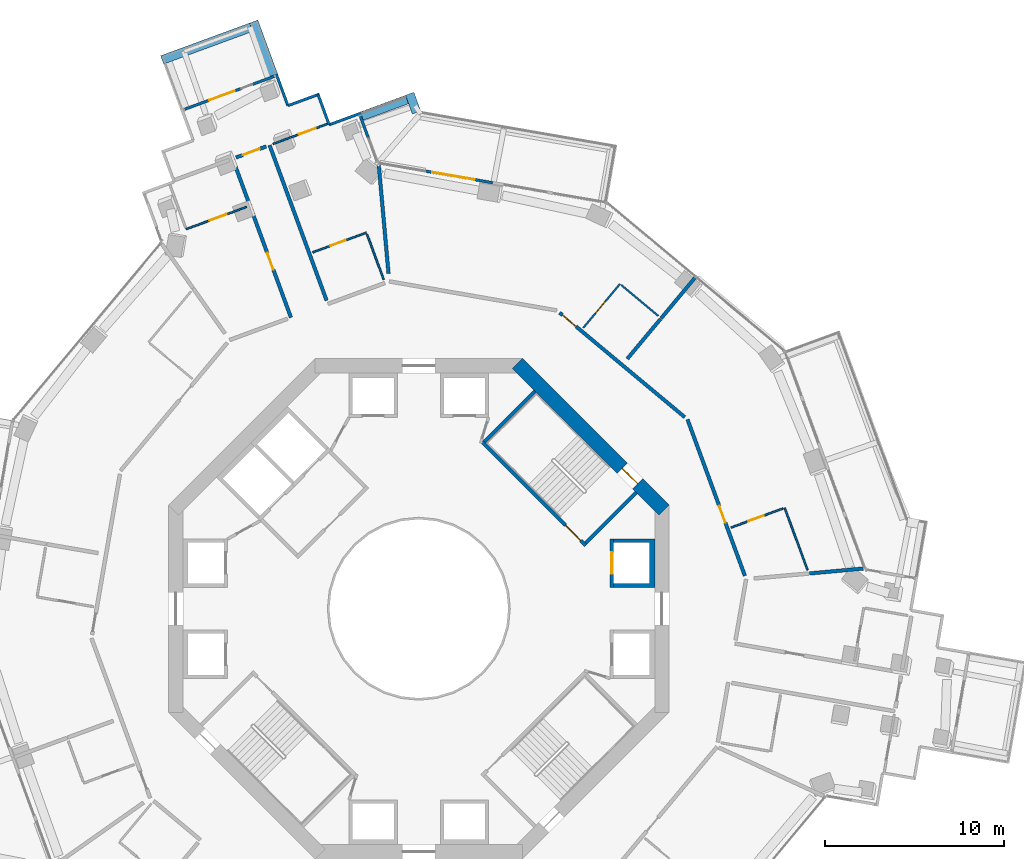
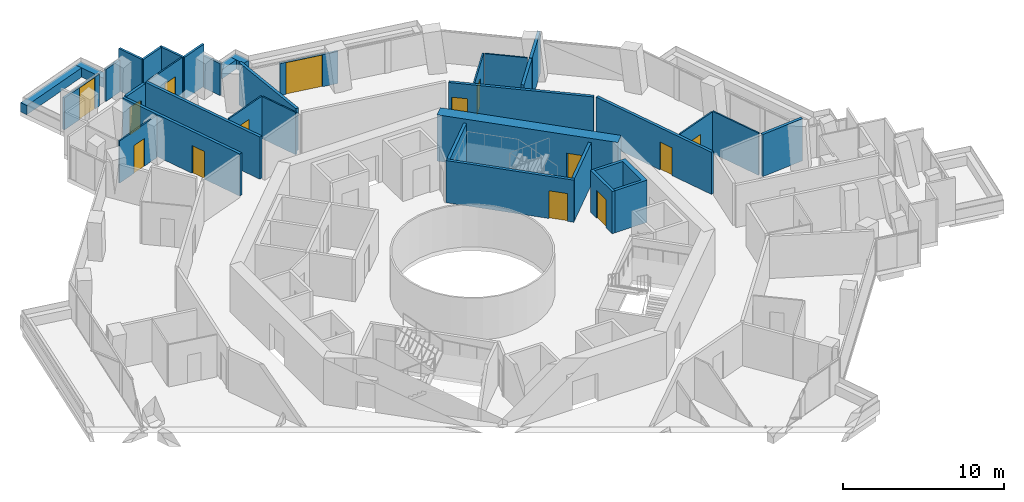
# One storey, part 20 of 24: 35 walls, 14 doors, 14 openings.
"""IFC4 building model written with IfcOpenShell, lengths in metres."""

from ifc_helpers import new_model, si_unit, direction, frame, frame_2d, origin, place, context, subcontext, project, spatial, polyline, rectangle, outline, extrude, material, layer, layer_set, type_object, element, fill, save


model = new_model("IFC4")

# Units and contexts
model_context = context("Model", 3, precision=1e-05, world=origin(), true_north=direction((0.0, 1.0)))
body_context = subcontext(model_context, "Body", "Model", "MODEL_VIEW")
ifc_project = project(units=[si_unit("LENGTHUNIT", "METRE"), si_unit("AREAUNIT", "SQUARE_METRE"), si_unit("VOLUMEUNIT", "CUBIC_METRE"), si_unit("PLANEANGLEUNIT", "RADIAN"), si_unit("MASSUNIT", "GRAM", prefix="KILO")], contexts=[model_context])

# Site, building, storey
site_placement = place(None, origin())
site = spatial("IfcSite", under=ifc_project, at=site_placement, CompositionType="ELEMENT")
building_placement = place(site_placement, origin())
building = spatial("IfcBuilding", under=site, at=building_placement, Name="Verdalira Terraces Hotel", CompositionType="ELEMENT")
storey_placement = place(building_placement, frame((0.0, 0.0, 115.0)))
storey = spatial("IfcBuildingStorey", under=building, at=storey_placement, Name="L27", CompositionType="ELEMENT", Elevation=115.0)

# Walls
ifc_material_1 = material(Name="Concrete C40", Category="concrete")
ifc_layer_1 = layer(ifc_material_1, 0.5)
ifc_layer_set_1 = layer_set([ifc_layer_1], Name="Balcony planter trough with tree")
wall_type_1 = type_object("IfcWallType", Name="Balcony planter trough with tree", PredefinedType="SOLIDWALL", material=ifc_layer_set_1)
wall_1_placement = place(storey_placement, frame((-8.133789, 29.84375, 0.0), z_axis=(0.0, 0.0, 1.0), x_axis=(-0.344633575, 0.93873729, 0.0)))
element("IfcWall", 1, at=wall_1_placement, inside=storey, type_object=wall_type_1, Name="Balcony planter", PredefinedType="SOLIDWALL", context=body_context, shape_type="SweptSolid", body=[
    extrude(rectangle(XDim=3.199219, YDim=0.5, at=frame_2d((1.599609, 0.0))), origin(), (0.0, 0.0, 1.0), 0.699951),
])
wall_2_placement = place(storey_placement, frame((-9.384766, 32.526123, 0.0), z_axis=(0.0, 0.0, 1.0), x_axis=(-0.938731816, -0.344648484, 0.0)))
element("IfcWall", 2, at=wall_2_placement, inside=storey, type_object=wall_type_1, Name="Balcony planter", PredefinedType="SOLIDWALL", context=body_context, shape_type="SweptSolid", body=[
    extrude(rectangle(XDim=5.300049, YDim=0.5, at=frame_2d((2.649902, 0.0))), origin(), (0.0, 0.0, 1.0), 0.699951),
])
wall_3_placement = place(storey_placement, frame((-0.126221, 27.763428, 0.0), z_axis=(0.0, 0.0, 1.0), x_axis=(-0.344544989, 0.938769807, 0.0)))
element("IfcWall", 3, at=wall_3_placement, inside=storey, type_object=wall_type_1, Name="Balcony planter", PredefinedType="SOLIDWALL", context=body_context, shape_type="SweptSolid", body=[
    extrude(rectangle(XDim=1.111816, YDim=0.5, at=frame_2d((0.555908, 0.0))), origin(), (0.0, 0.0, 1.0), 0.699951),
])
wall_4_placement = place(storey_placement, frame((-0.657959, 28.486084, 0.0), z_axis=(0.0, 0.0, 1.0), x_axis=(-0.938727111, -0.344661298, 0.0)))
element("IfcWall", 4, at=wall_4_placement, inside=storey, type_object=wall_type_1, Name="Balcony planter", PredefinedType="SOLIDWALL", context=body_context, shape_type="SweptSolid", body=[
    extrude(rectangle(XDim=2.69873, YDim=0.5, at=frame_2d((1.349365, 0.0))), origin(), (0.0, 0.0, 1.0), 0.699951),
])

# Wall, opening, door
ifc_material_2 = material(Name="Moisture-resistant gypsum board partition")
ifc_layer_2 = layer(ifc_material_2, 0.10009765625)
ifc_layer_set_2 = layer_set([ifc_layer_2], Name="Bathroom partition 100 mm")
wall_type_2 = type_object("IfcWallType", Name="Bathroom partition 100 mm", PredefinedType="PARTITIONING", material=ifc_layer_set_2)
wall_5_placement = place(storey_placement, frame((-13.015137, 21.23291, 0.0), z_axis=(0.0, 0.0, 1.0), x_axis=(0.938731564, 0.34464917, 0.0)))
wall_5 = element("IfcWall", 5, at=wall_5_placement, inside=storey, type_object=wall_type_2, Name="Bathroom partition", PredefinedType="PARTITIONING", context=body_context, shape_type="SweptSolid", body=[
    extrude(rectangle(XDim=3.599854, YDim=0.100098, at=frame_2d((1.799805, 0.0))), origin(), (0.0, 0.0, 1.0), 3.189941),
])
opening_1_placement = place(wall_5_placement, frame((1.399902, 0.0, 0.0)))
opening_1 = element("IfcOpeningElement", 6, at=opening_1_placement, cuts=wall_5, Name="Opening L27-105", PredefinedType="OPENING", context=body_context, shape_type="SweptSolid", body=[
    extrude(rectangle(XDim=1.0, YDim=2.100098, at=frame_2d((0.5, 1.050049))), frame((0.0, 0.060059, 0.0), z_axis=(0.0, -1.0, 0.0), x_axis=(1.0, 0.0, 0.0)), (0.0, 0.0, 1.0), 0.120117),
])
ifc_material_3 = material(Name="Timber door", Category="wood")
door_type_1 = type_object("IfcDoorType", Name="Bathroom door 1000 x 2100", OperationType="NOTDEFINED", PredefinedType="DOOR", material=ifc_material_3)
door_1_placement = place(opening_1_placement, origin())
door_1 = element("IfcDoor", 7, at=door_1_placement, inside=storey, type_object=door_type_1, Name="Bathroom door 2702", OperationType="SINGLE_SWING_LEFT", OverallHeight=2.10009765625, OverallWidth=1.0, PredefinedType="DOOR", context=body_context, shape_type="SweptSolid", body=[
    extrude(rectangle(XDim=1.0, YDim=2.100098, at=frame_2d((0.5, 1.050049))), frame((0.0, 0.024902, 0.0), z_axis=(0.0, -1.0, 0.0), x_axis=(1.0, 0.0, 0.0)), (0.0, 0.0, 1.0), 0.050049),
])
fill(opening_1, door_1)

wall_6_placement = place(storey_placement, frame((-5.107422, 27.118896, 0.0), z_axis=(0.0, 0.0, 1.0), x_axis=(-0.938741156, -0.344623043, 0.0)))
wall_6 = element("IfcWall", 8, at=wall_6_placement, inside=storey, type_object=wall_type_2, Name="Bathroom partition", PredefinedType="PARTITIONING", context=body_context, shape_type="SweptSolid", body=[
    extrude(rectangle(XDim=3.251709, YDim=0.100098, at=frame_2d((1.625977, 0.0))), origin(), (0.0, 0.0, 1.0), 3.189941),
])
opening_2_placement = place(wall_6_placement, frame((0.699951, 0.0, 0.0)))
opening_2 = element("IfcOpeningElement", 9, at=opening_2_placement, cuts=wall_6, Name="Opening L27-102", PredefinedType="OPENING", context=body_context, shape_type="SweptSolid", body=[
    extrude(rectangle(XDim=1.0, YDim=2.100098, at=frame_2d((0.5, 1.050049))), frame((0.0, 0.060059, 0.0), z_axis=(0.0, -1.0, 0.0), x_axis=(1.0, 0.0, 0.0)), (0.0, 0.0, 1.0), 0.120117),
])
ifc_material_4 = material(Name="Timber door", Category="wood")
door_type_2 = type_object("IfcDoorType", Name="Suite internal door 1000 x 2100", OperationType="NOTDEFINED", PredefinedType="DOOR", material=ifc_material_4)
door_2_placement = place(opening_2_placement, origin())
door_2 = element("IfcDoor", 10, at=door_2_placement, inside=storey, type_object=door_type_2, Name="Suite internal door 2701", OperationType="SINGLE_SWING_LEFT", OverallHeight=2.10009765625, OverallWidth=1.0, PredefinedType="DOOR", context=body_context, shape_type="SweptSolid", body=[
    extrude(rectangle(XDim=1.0, YDim=2.100098, at=frame_2d((0.5, 1.050049))), frame((0.0, 0.024902, 0.0), z_axis=(0.0, -1.0, 0.0), x_axis=(1.0, 0.0, 0.0)), (0.0, 0.0, 1.0), 0.050049),
])
fill(opening_2, door_2)

wall_7_placement = place(storey_placement, frame((-2.929932, 21.037354, 0.0), z_axis=(0.0, 0.0, 1.0), x_axis=(-0.938739792, -0.344626759, 0.0)))
wall_7 = element("IfcWall", 11, at=wall_7_placement, inside=storey, type_object=wall_type_2, Name="Bathroom partition", PredefinedType="PARTITIONING", context=body_context, shape_type="SweptSolid", body=[
    extrude(rectangle(XDim=3.199951, YDim=0.100098, at=frame_2d((1.600098, 0.0))), origin(), (0.0, 0.0, 1.0), 3.189941),
])
opening_3_placement = place(wall_7_placement, frame((1.25, 0.0, 0.0)))
opening_3 = element("IfcOpeningElement", 12, at=opening_3_placement, cuts=wall_7, Name="Opening L27-103", PredefinedType="OPENING", context=body_context, shape_type="SweptSolid", body=[
    extrude(rectangle(XDim=0.899902, YDim=2.100098, at=frame_2d((0.449951, 1.050049))), frame((0.0, 0.060059, 0.0), z_axis=(0.0, -1.0, 0.0), x_axis=(1.0, 0.0, 0.0)), (0.0, 0.0, 1.0), 0.120117),
])
ifc_material_5 = material(Name="Timber door", Category="wood")
door_type_3 = type_object("IfcDoorType", Name="Bathroom door 900 x 2100", OperationType="NOTDEFINED", PredefinedType="DOOR", material=ifc_material_5)
door_3_placement = place(opening_3_placement, origin())
door_3 = element("IfcDoor", 13, at=door_3_placement, inside=storey, type_object=door_type_3, Name="Bathroom door 2701", OperationType="SINGLE_SWING_LEFT", OverallHeight=2.10009765625, OverallWidth=0.89990234375, PredefinedType="DOOR", context=body_context, shape_type="SweptSolid", body=[
    extrude(rectangle(XDim=0.899902, YDim=2.100098, at=frame_2d((0.449951, 1.050049))), frame((0.0, 0.024902, 0.0), z_axis=(0.0, -1.0, 0.0), x_axis=(1.0, 0.0, 0.0)), (0.0, 0.0, 1.0), 0.050049),
])
fill(opening_3, door_3)

# Wall
wall_8_placement = place(storey_placement, frame((-1.964844, 18.408936, 0.0), z_axis=(0.0, 0.0, 1.0), x_axis=(-0.344674382, 0.938722307, 0.0)))
element("IfcWall", 14, at=wall_8_placement, inside=storey, type_object=wall_type_2, Name="Bathroom partition", PredefinedType="PARTITIONING", context=body_context, shape_type="SweptSolid", body=[
    extrude(rectangle(XDim=2.700195, YDim=0.100098, at=frame_2d((1.350098, 0.0))), origin(), (0.0, 0.0, 1.0), 3.189941),
])

# Wall, opening, door
wall_9_placement = place(storey_placement, frame((11.251465, 18.168213, 0.0), z_axis=(0.0, 0.0, 1.0), x_axis=(-0.640612028, -0.767864721, 0.0)))
wall_9 = element("IfcWall", 15, at=wall_9_placement, inside=storey, type_object=wall_type_2, Name="Bathroom partition", PredefinedType="PARTITIONING", context=body_context, shape_type="SweptSolid", body=[
    extrude(rectangle(XDim=3.200195, YDim=0.100098, at=frame_2d((1.600098, 0.0))), origin(), (0.0, 0.0, 1.0), 3.189941),
])
opening_4_placement = place(wall_9_placement, frame((1.25, 0.0, 0.0)))
opening_4 = element("IfcOpeningElement", 16, at=opening_4_placement, cuts=wall_9, Name="Opening L27-130", PredefinedType="OPENING", context=body_context, shape_type="SweptSolid", body=[
    extrude(rectangle(XDim=0.899902, YDim=2.100098, at=frame_2d((0.449951, 1.050049))), frame((0.0, 0.060059, 0.0), z_axis=(0.0, -1.0, 0.0), x_axis=(1.0, 0.0, 0.0)), (0.0, 0.0, 1.0), 0.120117),
])
door_4_placement = place(opening_4_placement, origin())
door_4 = element("IfcDoor", 17, at=door_4_placement, inside=storey, type_object=door_type_3, Name="Bathroom door 2714", OperationType="SINGLE_SWING_LEFT", OverallHeight=2.10009765625, OverallWidth=0.89990234375, PredefinedType="DOOR", context=body_context, shape_type="SweptSolid", body=[
    extrude(rectangle(XDim=0.899902, YDim=2.100098, at=frame_2d((0.449951, 1.050049))), frame((0.0, 0.024902, 0.0), z_axis=(0.0, -1.0, 0.0), x_axis=(1.0, 0.0, 0.0)), (0.0, 0.0, 1.0), 0.050049),
])
fill(opening_4, door_4)

# Wall
wall_10_placement = place(storey_placement, frame((11.328369, 18.104004, 0.0), z_axis=(0.0, 0.0, 1.0), x_axis=(0.767813462, -0.640673464, 0.0)))
element("IfcWall", 18, at=wall_10_placement, inside=storey, type_object=wall_type_2, Name="Bathroom partition", PredefinedType="PARTITIONING", context=body_context, shape_type="SweptSolid", body=[
    extrude(rectangle(XDim=2.699951, YDim=0.100098, at=frame_2d((1.350098, 0.0))), origin(), (0.0, 0.0, 1.0), 3.189941),
])

# Wall, opening, door
wall_11_placement = place(storey_placement, frame((20.374268, 5.606934, 0.0), z_axis=(0.0, 0.0, 1.0), x_axis=(-0.938740488, -0.344624864, 0.0)))
wall_11 = element("IfcWall", 19, at=wall_11_placement, inside=storey, type_object=wall_type_2, Name="Bathroom partition", PredefinedType="PARTITIONING", context=body_context, shape_type="SweptSolid", body=[
    extrude(rectangle(XDim=3.100098, YDim=0.100098, at=frame_2d((1.550049, 0.0))), origin(), (0.0, 0.0, 1.0), 3.189941),
])
opening_5_placement = place(wall_11_placement, frame((1.149902, 0.0, 0.0)))
opening_5 = element("IfcOpeningElement", 20, at=opening_5_placement, cuts=wall_11, Name="Opening L27-128", PredefinedType="OPENING", context=body_context, shape_type="SweptSolid", body=[
    extrude(rectangle(XDim=0.899902, YDim=2.100098, at=frame_2d((0.449951, 1.050049))), frame((0.0, 0.060059, 0.0), z_axis=(0.0, -1.0, 0.0), x_axis=(1.0, 0.0, 0.0)), (0.0, 0.0, 1.0), 0.120117),
])
door_5_placement = place(opening_5_placement, origin())
door_5 = element("IfcDoor", 21, at=door_5_placement, inside=storey, type_object=door_type_3, Name="Bathroom door 2713", OperationType="SINGLE_SWING_LEFT", OverallHeight=2.10009765625, OverallWidth=0.89990234375, PredefinedType="DOOR", context=body_context, shape_type="SweptSolid", body=[
    extrude(rectangle(XDim=0.899902, YDim=2.100098, at=frame_2d((0.449951, 1.050049))), frame((0.0, 0.024902, 0.0), z_axis=(0.0, -1.0, 0.0), x_axis=(1.0, 0.0, 0.0)), (0.0, 0.0, 1.0), 0.050049),
])
fill(opening_5, door_5)

# Walls
wall_12_placement = place(storey_placement, frame((20.468018, 5.641602, 0.0), z_axis=(0.0, 0.0, 1.0), x_axis=(0.344636129, -0.938736352, 0.0)))
element("IfcWall", 22, at=wall_12_placement, inside=storey, type_object=wall_type_2, Name="Bathroom partition", PredefinedType="PARTITIONING", context=body_context, shape_type="SweptSolid", body=[
    extrude(rectangle(XDim=3.704346, YDim=0.100098, at=frame_2d((1.852051, 0.0))), origin(), (0.0, 0.0, 1.0), 3.189941),
])
ifc_material_6 = material(Name="Concrete C50", Category="concrete")
ifc_layer_3 = layer(ifc_material_6, 0.199951171875)
ifc_layer_set_3 = layer_set([ifc_layer_3], Name="Core RC wall 200 C50")
wall_type_3 = type_object("IfcWallType", Name="Core RC wall 200 C50", PredefinedType="SOLIDWALL", material=ifc_layer_set_3)
wall_13_placement = place(storey_placement, origin())
element("IfcWall", 23, at=wall_13_placement, inside=storey, type_object=wall_type_3, Name="L27 shaft wall E2", PredefinedType="SOLIDWALL", context=body_context, shape_type="SweptSolid", body=[
    extrude(outline(polyline([(13.199951, 3.899902), (13.199951, 1.199951), (10.899902, 1.199951), (10.899902, 1.399902), (12.899902, 1.399902), (12.899902, 3.699951), (10.899902, 3.699951), (10.899902, 3.899902), (13.199951, 3.899902)])), origin(), (0.0, 0.0, 1.0), 3.189941),
])

# Wall, opening, door
wall_14_placement = place(storey_placement, frame((10.800049, 1.199951, 0.0), z_axis=(0.0, 0.0, 1.0), x_axis=(0.0, 1.0, 0.0)))
wall_14 = element("IfcWall", 24, at=wall_14_placement, inside=storey, type_object=wall_type_3, Name="L27 shaft front wall E2", PredefinedType="SOLIDWALL", context=body_context, shape_type="SweptSolid", body=[
    extrude(rectangle(XDim=2.699951, YDim=0.199951, at=frame_2d((1.350098, 0.0))), origin(), (0.0, 0.0, 1.0), 3.189941),
])
opening_6_placement = place(wall_14_placement, frame((0.75, 0.0, 0.0)))
opening_6 = element("IfcOpeningElement", 25, at=opening_6_placement, cuts=wall_14, Name="Opening LD-L27-802", PredefinedType="OPENING", context=body_context, shape_type="SweptSolid", body=[
    extrude(rectangle(XDim=1.199951, YDim=2.100098, at=frame_2d((0.600098, 1.050049))), frame((0.0, 0.109863, 0.0), z_axis=(0.0, -1.0, 0.0), x_axis=(1.0, 0.0, 0.0)), (0.0, 0.0, 1.0), 0.219971),
])
ifc_material_7 = material(Name="Stainless steel", Category="steel")
door_type_4 = type_object("IfcDoorType", Name="Landing door 1200 x 2100", OperationType="NOTDEFINED", PredefinedType="DOOR", material=ifc_material_7)
door_6_placement = place(opening_6_placement, origin())
door_6 = element("IfcDoor", 26, at=door_6_placement, inside=storey, type_object=door_type_4, Name="Lift landing door LR2 L27", OperationType="DOUBLE_DOOR_SLIDING", OverallHeight=2.10009765625, OverallWidth=1.199951171875, PredefinedType="DOOR", context=body_context, shape_type="SweptSolid", body=[
    extrude(rectangle(XDim=1.199951, YDim=2.100098, at=frame_2d((0.600098, 1.050049))), frame((0.0, 0.024902, 0.0), z_axis=(0.0, -1.0, 0.0), x_axis=(1.0, 0.0, 0.0)), (0.0, 0.0, 1.0), 0.050049),
])
fill(opening_6, door_6)

wall_15_placement = place(storey_placement, frame((3.5354, 9.33374, 0.0), z_axis=(0.0, 0.0, 1.0), x_axis=(0.707106781, -0.707106781, 0.0)))
wall_15 = element("IfcWall", 27, at=wall_15_placement, inside=storey, type_object=wall_type_3, Name="L27 stair ST1 front wall", PredefinedType="SOLIDWALL", context=body_context, shape_type="SweptSolid", body=[
    extrude(rectangle(XDim=8.200195, YDim=0.199951, at=frame_2d((4.100098, 0.0))), origin(), (0.0, 0.0, 1.0), 3.189941),
])
opening_7_placement = place(wall_15_placement, frame((6.600098, 0.0, 0.0)))
opening_7 = element("IfcOpeningElement", 28, at=opening_7_placement, cuts=wall_15, Name="Opening L27-809", PredefinedType="OPENING", context=body_context, shape_type="SweptSolid", body=[
    extrude(rectangle(XDim=1.199951, YDim=2.100098, at=frame_2d((0.600098, 1.050049))), frame((0.0, 0.109863, 0.0), z_axis=(0.0, -1.0, 0.0), x_axis=(1.0, 0.0, 0.0)), (0.0, 0.0, 1.0), 0.219971),
])
ifc_material_8 = material(Name="Steel fire door", Category="steel")
door_type_5 = type_object("IfcDoorType", Name="Stair door 1200 x 2100", OperationType="NOTDEFINED", PredefinedType="DOOR", material=ifc_material_8)
door_7_placement = place(opening_7_placement, origin())
door_7 = element("IfcDoor", 29, at=door_7_placement, inside=storey, type_object=door_type_5, Name="Stair door ST1 L27", OperationType="SINGLE_SWING_RIGHT", OverallHeight=2.10009765625, OverallWidth=1.199951171875, PredefinedType="DOOR", context=body_context, shape_type="SweptSolid", body=[
    extrude(rectangle(XDim=1.199951, YDim=2.100098, at=frame_2d((0.600098, 1.050049))), frame((0.0, 0.024902, 0.0), z_axis=(0.0, -1.0, 0.0), x_axis=(1.0, 0.0, 0.0)), (0.0, 0.0, 1.0), 0.050049),
])
fill(opening_7, door_7)

# Walls
for number, where, z_axis, x_axis, name in (
    (30, (9.33374, 3.677002, 0.0), (0.0, 0.0, 1.0), (0.707106781, 0.707106781, 0.0), "L27 stair ST1 end wall 1"),
    (31, (3.677002, 9.33374, 0.0), (0.0, 0.0, 1.0), (0.707106781, 0.707106781, 0.0), "L27 stair ST1 end wall 2"),
):
    element("IfcWall", number, at=place(storey_placement, frame(where, z_axis=z_axis, x_axis=x_axis)), inside=storey, type_object=wall_type_3, Name=name, PredefinedType="SOLIDWALL", context=body_context, shape_type="SweptSolid", body=[
        extrude(rectangle(XDim=4.0, YDim=0.199951, at=frame_2d((2.0, 0.0))), origin(), (0.0, 0.0, 1.0), 3.189941),
    ])

# Wall, opening, door
ifc_material_9 = material(Name="Concrete C70", Category="concrete")
ifc_layer_4 = layer(ifc_material_9, 0.800048828125)
ifc_layer_set_4 = layer_set([ifc_layer_4], Name="Core wall 800 C70")
wall_type_4 = type_object("IfcWallType", Name="Core wall 800 C70", PredefinedType="SHEAR", material=ifc_layer_set_4)
wall_16_placement = place(storey_placement, frame((13.717285, 5.516113, 0.0), z_axis=(0.0, 0.0, 1.0), x_axis=(-0.707106781, 0.707106781, 0.0)))
wall_16 = element("IfcWall", 32, at=wall_16_placement, inside=storey, type_object=wall_type_4, Name="Core wall CW-L27-2", PredefinedType="SHEAR", context=body_context, shape_type="SweptSolid", body=[
    extrude(rectangle(XDim=11.598145, YDim=0.800049, at=frame_2d((5.799072, 0.0))), origin(), (0.0, 0.0, 1.0), 3.5),
])
opening_8_placement = place(wall_16_placement, frame((2.099121, 0.0, 0.0)))
opening_8 = element("IfcOpeningElement", 33, at=opening_8_placement, cuts=wall_16, Name="Opening L27-816", PredefinedType="OPENING", context=body_context, shape_type="SweptSolid", body=[
    extrude(rectangle(XDim=1.199951, YDim=2.100098, at=frame_2d((0.600098, 1.050049))), frame((0.0, 0.409912, 0.0), z_axis=(0.0, -1.0, 0.0), x_axis=(1.0, 0.0, 0.0)), (0.0, 0.0, 1.0), 0.820068),
])
door_8_placement = place(opening_8_placement, origin())
door_8 = element("IfcDoor", 34, at=door_8_placement, inside=storey, type_object=door_type_5, Name="Stair exit door ST1 L27", OperationType="SINGLE_SWING_LEFT", OverallHeight=2.10009765625, OverallWidth=1.199951171875, PredefinedType="DOOR", context=body_context, shape_type="SweptSolid", body=[
    extrude(rectangle(XDim=1.199951, YDim=2.100098, at=frame_2d((0.600098, 1.050049))), frame((0.0, 0.024902, 0.0), z_axis=(0.0, -1.0, 0.0), x_axis=(1.0, 0.0, 0.0)), (0.0, 0.0, 1.0), 0.050049),
])
fill(opening_8, door_8)

# Walls
ifc_material_10 = material(Name="Fire-rated gypsum board wall")
ifc_layer_5 = layer(ifc_material_10, 0.199951171875)
ifc_layer_set_5 = layer_set([ifc_layer_5], Name="Demising wall 200 mm")
wall_type_5 = type_object("IfcWallType", Name="Demising wall 200 mm", PredefinedType="SOLIDWALL", material=ifc_layer_set_5)
wall_17_placement = place(storey_placement, frame((-2.245117, 24.862793, 0.0), z_axis=(0.0, 0.0, 1.0), x_axis=(0.089939825, -0.995947201, 0.0)))
element("IfcWall", 35, at=wall_17_placement, inside=storey, type_object=wall_type_5, Name="Demising wall", PredefinedType="SOLIDWALL", context=body_context, shape_type="SweptSolid", body=[
    extrude(rectangle(XDim=6.13208, YDim=0.199951, at=frame_2d((3.065918, 0.0))), origin(), (0.0, 0.0, 1.0), 3.189941),
])
wall_18_placement = place(storey_placement, frame((11.66333, 13.979004, 0.0), z_axis=(0.0, 0.0, 1.0), x_axis=(0.64065553, 0.767828426, 0.0)))
element("IfcWall", 36, at=wall_18_placement, inside=storey, type_object=wall_type_5, Name="Demising wall", PredefinedType="SOLIDWALL", context=body_context, shape_type="SweptSolid", body=[
    extrude(rectangle(XDim=2.904541, YDim=0.199951, at=frame_2d((1.452148, 0.0))), origin(), (0.0, 0.0, 1.0), 3.189941),
])
wall_19_placement = place(storey_placement, frame((13.553711, 16.244629, 0.0), z_axis=(0.0, 0.0, 1.0), x_axis=(0.640639847, 0.767841511, 0.0)))
element("IfcWall", 37, at=wall_19_placement, inside=storey, type_object=wall_type_5, Name="Demising wall", PredefinedType="SOLIDWALL", context=body_context, shape_type="SweptSolid", body=[
    extrude(rectangle(XDim=2.951904, YDim=0.199951, at=frame_2d((1.476074, 0.0))), origin(), (0.0, 0.0, 1.0), 3.189941),
])
wall_20_placement = place(storey_placement, frame((21.86377, 1.974365, 0.0), z_axis=(0.0, 0.0, 1.0), x_axis=(0.995949501, 0.08991436, 0.0)))
element("IfcWall", 38, at=wall_20_placement, inside=storey, type_object=wall_type_5, Name="Demising wall", PredefinedType="SOLIDWALL", context=body_context, shape_type="SweptSolid", body=[
    extrude(rectangle(XDim=3.01123, YDim=0.199951, at=frame_2d((1.505615, 0.0))), origin(), (0.0, 0.0, 1.0), 3.189941),
])

# Wall, opening, door
ifc_material_11 = material(Name="Fire-rated gypsum board wall")
ifc_layer_6 = layer(ifc_material_11, 0.199951171875)
ifc_layer_set_6 = layer_set([ifc_layer_6], Name="Guest corridor wall 200 mm")
wall_type_6 = type_object("IfcWallType", Name="Guest corridor wall 200 mm", PredefinedType="SOLIDWALL", material=ifc_layer_set_6)
wall_21_placement = place(storey_placement, frame((-10.227051, 25.239258, 0.0), z_axis=(0.0, 0.0, 1.0), x_axis=(0.938728809, 0.344656674, 0.0)))
wall_21 = element("IfcWall", 39, at=wall_21_placement, inside=storey, type_object=wall_type_6, Name="Guest corridor wall", PredefinedType="SOLIDWALL", context=body_context, shape_type="SweptSolid", body=[
    extrude(rectangle(XDim=1.802002, YDim=0.199951, at=frame_2d((0.900879, 0.0))), origin(), (0.0, 0.0, 1.0), 3.189941),
])
opening_9_placement = place(wall_21_placement, frame((0.399902, 0.0, 0.0)))
opening_9 = element("IfcOpeningElement", 40, at=opening_9_placement, cuts=wall_21, Name="Opening L27-101", PredefinedType="OPENING", context=body_context, shape_type="SweptSolid", body=[
    extrude(rectangle(XDim=1.0, YDim=2.100098, at=frame_2d((0.5, 1.050049))), frame((0.0, 0.109863, 0.0), z_axis=(0.0, -1.0, 0.0), x_axis=(1.0, 0.0, 0.0)), (0.0, 0.0, 1.0), 0.219971),
])
ifc_material_12 = material(Name="Timber fire door", Category="wood")
door_type_6 = type_object("IfcDoorType", Name="Guest entry door 1000 x 2100", OperationType="NOTDEFINED", PredefinedType="DOOR", material=ifc_material_12)
door_9_placement = place(opening_9_placement, origin())
door_9 = element("IfcDoor", 41, at=door_9_placement, inside=storey, type_object=door_type_6, Name="Guest entry door 2701", OperationType="SINGLE_SWING_LEFT", OverallHeight=2.10009765625, OverallWidth=1.0, PredefinedType="DOOR", context=body_context, shape_type="SweptSolid", body=[
    extrude(rectangle(XDim=1.0, YDim=2.100098, at=frame_2d((0.5, 1.050049))), frame((0.0, 0.024902, 0.0), z_axis=(0.0, -1.0, 0.0), x_axis=(1.0, 0.0, 0.0)), (0.0, 0.0, 1.0), 0.050049),
])
fill(opening_9, door_9)

wall_22_placement = place(storey_placement, frame((-7.152832, 16.29126, 0.0), z_axis=(0.0, 0.0, 1.0), x_axis=(-0.344663376, 0.938726348, 0.0)))
wall_22 = element("IfcWall", 42, at=wall_22_placement, inside=storey, type_object=wall_type_6, Name="Guest corridor wall", PredefinedType="SOLIDWALL", context=body_context, shape_type="SweptSolid", body=[
    extrude(rectangle(XDim=9.459229, YDim=0.199951, at=frame_2d((4.729492, 0.0))), origin(), (0.0, 0.0, 1.0), 3.189941),
])
opening_10_placement = place(wall_22_placement, frame((2.850098, 0.0, 0.0)))
opening_10 = element("IfcOpeningElement", 43, at=opening_10_placement, cuts=wall_22, Name="Opening L27-104", PredefinedType="OPENING", context=body_context, shape_type="SweptSolid", body=[
    extrude(rectangle(XDim=1.0, YDim=2.100098, at=frame_2d((0.5, 1.050049))), frame((0.0, 0.109863, 0.0), z_axis=(0.0, -1.0, 0.0), x_axis=(1.0, 0.0, 0.0)), (0.0, 0.0, 1.0), 0.219971),
])
door_10_placement = place(opening_10_placement, origin())
door_10 = element("IfcDoor", 44, at=door_10_placement, inside=storey, type_object=door_type_6, Name="Guest entry door 2702", OperationType="SINGLE_SWING_LEFT", OverallHeight=2.10009765625, OverallWidth=1.0, PredefinedType="DOOR", context=body_context, shape_type="SweptSolid", body=[
    extrude(rectangle(XDim=1.0, YDim=2.100098, at=frame_2d((0.5, 1.050049))), frame((0.0, 0.024902, 0.0), z_axis=(0.0, -1.0, 0.0), x_axis=(1.0, 0.0, 0.0)), (0.0, 0.0, 1.0), 0.050049),
])
fill(opening_10, door_10)

# Wall
wall_23_placement = place(storey_placement, frame((-5.156494, 17.237305, 0.0), z_axis=(0.0, 0.0, 1.0), x_axis=(-0.344671428, 0.938723392, 0.0)))
element("IfcWall", 45, at=wall_23_placement, inside=storey, type_object=wall_type_6, Name="Guest corridor wall", PredefinedType="SOLIDWALL", context=body_context, shape_type="SweptSolid", body=[
    extrude(rectangle(XDim=9.259277, YDim=0.199951, at=frame_2d((4.629639, 0.0))), origin(), (0.0, 0.0, 1.0), 3.189941),
])

# Wall, opening, door
wall_24_placement = place(storey_placement, frame((7.877197, 16.55542, 0.0), z_axis=(0.0, 0.0, 1.0), x_axis=(0.767836961, -0.6406453, 0.0)))
wall_24 = element("IfcWall", 46, at=wall_24_placement, inside=storey, type_object=wall_type_6, Name="Guest corridor wall", PredefinedType="SOLIDWALL", context=body_context, shape_type="SweptSolid", body=[
    extrude(rectangle(XDim=9.115479, YDim=0.199951, at=frame_2d((4.557617, 0.0))), origin(), (0.0, 0.0, 1.0), 3.189941),
])
opening_11_placement = place(wall_24_placement, frame((0.199951, 0.0, 0.0)))
opening_11 = element("IfcOpeningElement", 47, at=opening_11_placement, cuts=wall_24, Name="Opening L27-129", PredefinedType="OPENING", context=body_context, shape_type="SweptSolid", body=[
    extrude(rectangle(XDim=1.0, YDim=2.100098, at=frame_2d((0.5, 1.050049))), frame((0.0, 0.109863, 0.0), z_axis=(0.0, -1.0, 0.0), x_axis=(1.0, 0.0, 0.0)), (0.0, 0.0, 1.0), 0.219971),
])
door_11_placement = place(opening_11_placement, origin())
door_11 = element("IfcDoor", 48, at=door_11_placement, inside=storey, type_object=door_type_6, Name="Guest entry door 2714", OperationType="SINGLE_SWING_LEFT", OverallHeight=2.10009765625, OverallWidth=1.0, PredefinedType="DOOR", context=body_context, shape_type="SweptSolid", body=[
    extrude(rectangle(XDim=1.0, YDim=2.100098, at=frame_2d((0.5, 1.050049))), frame((0.0, 0.024902, 0.0), z_axis=(0.0, -1.0, 0.0), x_axis=(1.0, 0.0, 0.0)), (0.0, 0.0, 1.0), 0.050049),
])
fill(opening_11, door_11)

wall_25_placement = place(storey_placement, frame((15.030518, 10.58667, 0.0), z_axis=(0.0, 0.0, 1.0), x_axis=(0.344638859, -0.93873535, 0.0)))
wall_25 = element("IfcWall", 49, at=wall_25_placement, inside=storey, type_object=wall_type_6, Name="Guest corridor wall", PredefinedType="SOLIDWALL", context=body_context, shape_type="SweptSolid", body=[
    extrude(rectangle(XDim=9.316162, YDim=0.199951, at=frame_2d((4.658203, 0.0))), origin(), (0.0, 0.0, 1.0), 3.189941),
])
opening_12_placement = place(wall_25_placement, frame((5.149902, 0.0, 0.0)))
opening_12 = element("IfcOpeningElement", 50, at=opening_12_placement, cuts=wall_25, Name="Opening L27-127", PredefinedType="OPENING", context=body_context, shape_type="SweptSolid", body=[
    extrude(rectangle(XDim=1.0, YDim=2.100098, at=frame_2d((0.5, 1.050049))), frame((0.0, 0.109863, 0.0), z_axis=(0.0, -1.0, 0.0), x_axis=(1.0, 0.0, 0.0)), (0.0, 0.0, 1.0), 0.219971),
])
door_12_placement = place(opening_12_placement, origin())
door_12 = element("IfcDoor", 51, at=door_12_placement, inside=storey, type_object=door_type_6, Name="Guest entry door 2713", OperationType="SINGLE_SWING_LEFT", OverallHeight=2.10009765625, OverallWidth=1.0, PredefinedType="DOOR", context=body_context, shape_type="SweptSolid", body=[
    extrude(rectangle(XDim=1.0, YDim=2.100098, at=frame_2d((0.5, 1.050049))), frame((0.0, 0.024902, 0.0), z_axis=(0.0, -1.0, 0.0), x_axis=(1.0, 0.0, 0.0)), (0.0, 0.0, 1.0), 0.050049),
])
fill(opening_12, door_12)

# Walls
ifc_material_13 = material(Name="Terracotta cladding", Category="masonry")
ifc_layer_7 = layer(ifc_material_13, 0.14990234375)
ifc_layer_set_7 = layer_set([ifc_layer_7], Name="Terracotta clad wall 150")
wall_type_7 = type_object("IfcWallType", Name="Terracotta clad wall 150", PredefinedType="SOLIDWALL", material=ifc_layer_set_7)
wall_26_placement = place(storey_placement, frame((-3.252686, 27.719971, 0.0), z_axis=(0.0, 0.0, 1.0), x_axis=(-0.938735965, -0.344637184, 0.0)))
element("IfcWall", 52, at=wall_26_placement, inside=storey, type_object=wall_type_7, Name="Terracotta cladding wall", PredefinedType="SOLIDWALL", context=body_context, shape_type="SweptSolid", body=[
    extrude(rectangle(XDim=1.875244, YDim=0.149902, at=frame_2d((0.9375, 0.0))), origin(), (0.0, 0.0, 1.0), 3.189941),
])
wall_27_placement = place(storey_placement, frame((-5.012939, 27.07373, 0.0), z_axis=(0.0, 0.0, 1.0), x_axis=(-0.34464917, 0.938731564, 0.0)))
element("IfcWall", 53, at=wall_27_placement, inside=storey, type_object=wall_type_7, Name="Terracotta cladding wall", PredefinedType="SOLIDWALL", context=body_context, shape_type="SweptSolid", body=[
    extrude(rectangle(XDim=1.800049, YDim=0.149902, at=frame_2d((0.899902, 0.0))), origin(), (0.0, 0.0, 1.0), 3.189941),
])
for number, where, z_axis, x_axis, name in (
    (54, (-5.562744, 28.789307, 0.0), (0.0, 0.0, 1.0), (-0.938735965, -0.344637184, 0.0), "Terracotta cladding wall"),
    (55, (-7.322998, 28.143066, 0.0), (0.0, 0.0, 1.0), (-0.344637184, 0.938735965, 0.0), "Terracotta cladding wall"),
):
    element("IfcWall", number, at=place(storey_placement, frame(where, z_axis=z_axis, x_axis=x_axis)), inside=storey, type_object=wall_type_7, Name=name, PredefinedType="SOLIDWALL", context=body_context, shape_type="SweptSolid", body=[
        extrude(rectangle(XDim=1.875244, YDim=0.149902, at=frame_2d((0.9375, 0.0))), origin(), (0.0, 0.0, 1.0), 3.189941),
    ])
ifc_material_14 = material(Name="Terracotta cladding", Category="masonry")
ifc_layer_8 = layer(ifc_material_14, 0.14990234375)
ifc_layer_set_8 = layer_set([ifc_layer_8], Name="Terracotta column pier 150")
wall_type_8 = type_object("IfcWallType", Name="Terracotta column pier 150", PredefinedType="SOLIDWALL", material=ifc_layer_set_8)
wall_28_placement = place(storey_placement, frame((-2.808594, 26.292725, 0.0), z_axis=(0.0, 0.0, 1.0), x_axis=(-0.344722999, 0.938704455, 0.0)))
element("IfcWall", 56, at=wall_28_placement, inside=storey, type_object=wall_type_8, Name="Terracotta column pier", PredefinedType="SOLIDWALL", context=body_context, shape_type="SweptSolid", body=[
    extrude(rectangle(XDim=1.347656, YDim=0.149902, at=frame_2d((0.673828, 0.0))), origin(), (0.0, 0.0, 1.0), 2.425049),
])
wall_29_placement = place(storey_placement, frame((-8.088867, 29.779297, 0.0), z_axis=(0.0, 0.0, 1.0), x_axis=(-0.938748983, -0.344601721, 0.0)))
element("IfcWall", 57, at=wall_29_placement, inside=storey, type_object=wall_type_8, Name="Terracotta column pier", PredefinedType="SOLIDWALL", context=body_context, shape_type="SweptSolid", body=[
    extrude(rectangle(XDim=1.322754, YDim=0.149902, at=frame_2d((0.661377, 0.0))), origin(), (0.0, 0.0, 1.0), 2.425049),
])

# Wall, opening, door
ifc_material_15 = material(Name="Terracotta cladding", Category="masonry")
ifc_layer_9 = layer(ifc_material_15, 0.14990234375)
ifc_layer_set_9 = layer_set([ifc_layer_9], Name="Terracotta door pier 150")
wall_type_9 = type_object("IfcWallType", Name="Terracotta door pier 150", PredefinedType="SOLIDWALL", material=ifc_layer_set_9)
wall_30_placement = place(storey_placement, frame((-9.938232, 29.100342, 0.0), z_axis=(0.0, 0.0, 1.0), x_axis=(-0.938733393, -0.344644189, 0.0)))
wall_30 = element("IfcWall", 58, at=wall_30_placement, inside=storey, type_object=wall_type_9, Name="Terracotta door pier", PredefinedType="SOLIDWALL", context=body_context, shape_type="SweptSolid", body=[
    extrude(rectangle(XDim=3.369873, YDim=0.149902, at=frame_2d((1.685059, 0.0))), origin(), (0.0, 0.0, 1.0), 2.425049),
])
opening_13_placement = place(wall_30_placement, frame((0.399902, 0.0, 0.0)))
opening_13 = element("IfcOpeningElement", 59, at=opening_13_placement, cuts=wall_30, Name="Opening L27-B01", PredefinedType="OPENING", context=body_context, shape_type="SweptSolid", body=[
    extrude(rectangle(XDim=1.5, YDim=2.399902, at=frame_2d((0.75, 1.199951))), frame((0.0, 0.084961, 0.0), z_axis=(0.0, -1.0, 0.0), x_axis=(1.0, 0.0, 0.0)), (0.0, 0.0, 1.0), 0.169922),
])
ifc_material_16 = material(Name="Clear glass", Category="glass")
door_type_7 = type_object("IfcDoorType", Name="Balcony sliding door 1500x2400", OperationType="NOTDEFINED", PredefinedType="DOOR", material=ifc_material_16)
door_13_placement = place(opening_13_placement, origin())
door_13 = element("IfcDoor", 60, at=door_13_placement, inside=storey, type_object=door_type_7, Name="Balcony sliding door", OperationType="SLIDING_TO_RIGHT", OverallHeight=2.39990234375, OverallWidth=1.5, PredefinedType="DOOR", context=body_context, shape_type="SweptSolid", body=[
    extrude(rectangle(XDim=1.5, YDim=2.399902, at=frame_2d((0.75, 1.199951))), frame((0.0, 0.024902, 0.0), z_axis=(0.0, -1.0, 0.0), x_axis=(1.0, 0.0, 0.0)), (0.0, 0.0, 1.0), 0.050049),
])
fill(opening_13, door_13)

wall_31_placement = place(storey_placement, frame((4.132812, 23.827637, 0.0), z_axis=(0.0, 0.0, 1.0), x_axis=(-0.985286876, 0.170908667, 0.0)))
wall_31 = element("IfcWall", 61, at=wall_31_placement, inside=storey, type_object=wall_type_9, Name="Terracotta door pier", PredefinedType="SOLIDWALL", context=body_context, shape_type="SweptSolid", body=[
    extrude(rectangle(XDim=3.835449, YDim=0.149902, at=frame_2d((1.917725, 0.0))), origin(), (0.0, 0.0, 1.0), 2.425049),
])
opening_14_placement = place(wall_31_placement, frame((1.0354, 0.0, 0.0)))
opening_14 = element("IfcOpeningElement", 62, at=opening_14_placement, cuts=wall_31, Name="Opening L27-B12", PredefinedType="OPENING", context=body_context, shape_type="SweptSolid", body=[
    extrude(rectangle(XDim=2.399902, YDim=2.399902, at=frame_2d((1.199951, 1.199951))), frame((0.0, 0.084961, 0.0), z_axis=(0.0, -1.0, 0.0), x_axis=(1.0, 0.0, 0.0)), (0.0, 0.0, 1.0), 0.169922),
])
ifc_material_17 = material(Name="Clear glass", Category="glass")
door_type_8 = type_object("IfcDoorType", Name="Balcony sliding door 2400x2400", OperationType="NOTDEFINED", PredefinedType="DOOR", material=ifc_material_17)
door_14_placement = place(opening_14_placement, origin())
door_14 = element("IfcDoor", 63, at=door_14_placement, inside=storey, type_object=door_type_8, Name="Balcony sliding door", OperationType="SLIDING_TO_LEFT", OverallHeight=2.39990234375, OverallWidth=2.39990234375, PredefinedType="DOOR", context=body_context, shape_type="SweptSolid", body=[
    extrude(rectangle(XDim=2.399902, YDim=2.399902, at=frame_2d((1.199951, 1.199951))), frame((0.0, 0.024902, 0.0), z_axis=(0.0, -1.0, 0.0), x_axis=(1.0, 0.0, 0.0)), (0.0, 0.0, 1.0), 0.050049),
])
fill(opening_14, door_14)

save(model, "model.ifc")
